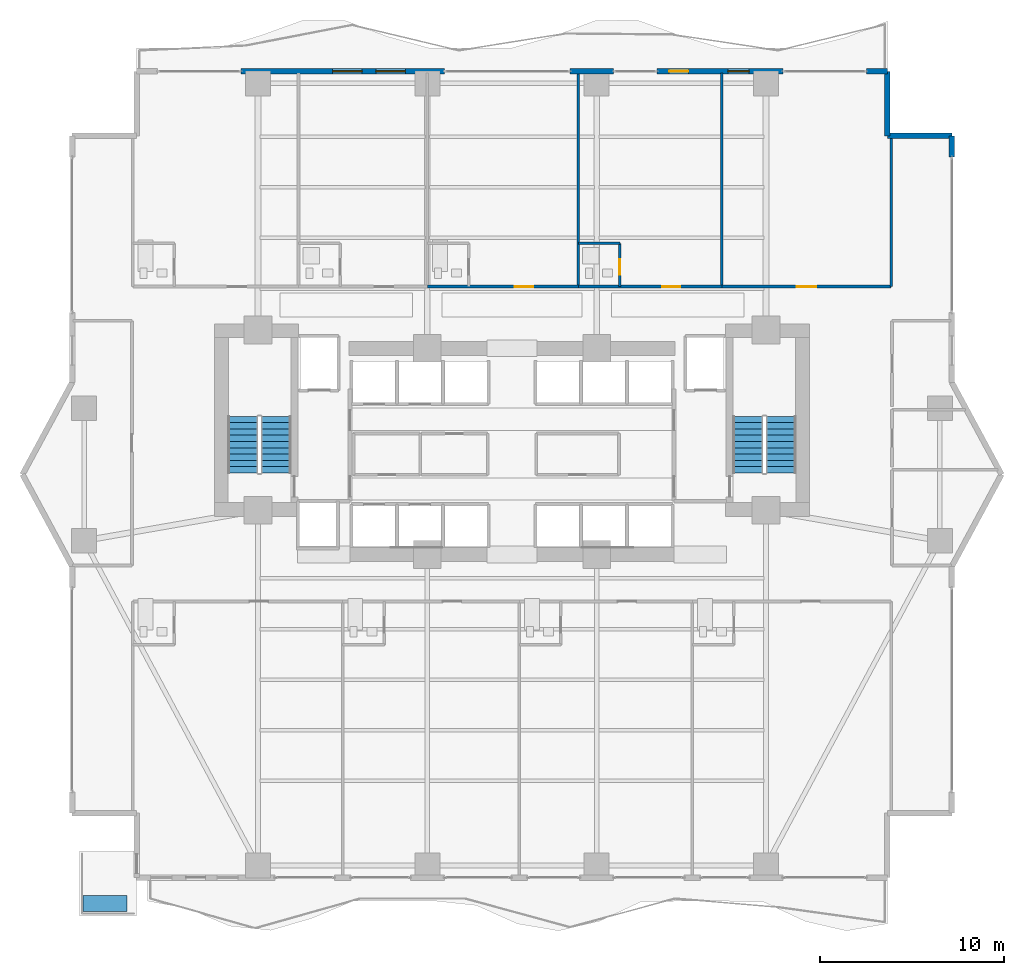
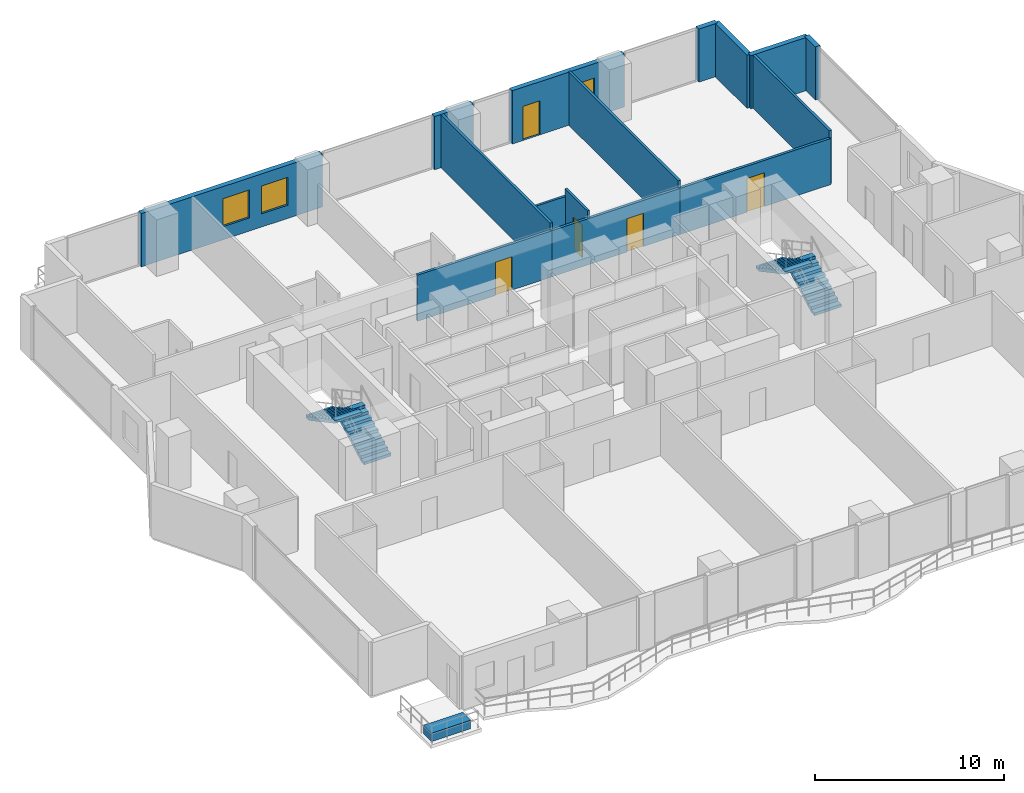
# One storey, part 23 of 27: 15 walls, 5 doors, 4 stair flights, 3 windows, 1 building element part, 8 openings, 2 elements without a shape of their own.
"""IFC4 building model written with IfcOpenShell, lengths in metres."""

from ifc_helpers import new_model, si_unit, direction, frame, frame_2d, origin, origin_2d, place, context, subcontext, project, spatial, polyline, rectangle, outline, extrude, material, layer, layer_set, type_object, element, fill, aggregate, save


model = new_model("IFC4")

# Units and contexts
model_context = context("Model", 3, precision=1e-05, world=origin(), true_north=direction((0.0, 1.0)))
body_context = subcontext(model_context, "Body", "Model", "MODEL_VIEW")
ifc_project = project(units=[si_unit("LENGTHUNIT", "METRE"), si_unit("AREAUNIT", "SQUARE_METRE"), si_unit("VOLUMEUNIT", "CUBIC_METRE"), si_unit("PLANEANGLEUNIT", "RADIAN"), si_unit("MASSUNIT", "GRAM", prefix="KILO")], contexts=[model_context])

# Site, building, storey
site_placement = place(None, origin())
site = spatial("IfcSite", under=ifc_project, at=site_placement, CompositionType="ELEMENT")
building_placement = place(site_placement, origin())
building = spatial("IfcBuilding", under=site, at=building_placement, Name="Zuhayl Quay Hotel", CompositionType="ELEMENT")
storey_placement = place(building_placement, frame((0.0, 0.0, 124.85009765625)))
storey = spatial("IfcBuildingStorey", under=building, at=storey_placement, Name="L31", CompositionType="ELEMENT", Elevation=124.85009765625)

# Wall, openings, windows
ifc_material_1 = material(Name="Precast concrete C45/55", Category="concrete")
ifc_layer_1 = layer(ifc_material_1, 0.300048828125, Name="Precast concrete C45/55", Category="concrete")
ifc_layer_set_1 = layer_set([ifc_layer_1], Name="Precast concrete C45/55")
wall_type_1 = type_object("IfcWallType", Name="WL_EXT_300", PredefinedType="STANDARD", material=ifc_layer_set_1)
wall_1_placement = place(storey_placement, frame((-14.719970703125, 28.39990234375, 0.0), z_axis=(0.0, 0.0, 1.0), x_axis=(1.0, 0.0, 0.0)))
wall_1 = element("IfcWall", 1, at=wall_1_placement, inside=storey, type_object=wall_type_1, Name="L31 Exterior Precast Wall ENV_L31_N_EW2", PredefinedType="STANDARD", context=body_context, shape_type="SweptSolid", body=[
    extrude(rectangle(XDim=11.0400390625, YDim=0.300048828125, at=frame_2d((5.52001953125, 0.0))), origin(), (0.0, 0.0, 1.0), 3.429931640625),
])
opening_1_placement = place(wall_1_placement, frame((4.97998046875, 0.0, 0.85009765625)))
opening_1 = element("IfcOpeningElement", 2, at=opening_1_placement, cuts=wall_1, Name="Opening W01", PredefinedType="OPENING", context=body_context, shape_type="SweptSolid", body=[
    extrude(rectangle(XDim=1.60009765625, YDim=1.800048828125, at=frame_2d((0.800048828125, 0.89990234375))), frame((0.0, 0.159912109375, 0.0), z_axis=(0.0, -1.0, 0.0), x_axis=(1.0, 0.0, 0.0)), (0.0, 0.0, 1.0), 0.320068359375),
])
opening_2_placement = place(wall_1_placement, frame((7.324951171875, 0.0, 0.85009765625)))
opening_2 = element("IfcOpeningElement", 3, at=opening_2_placement, cuts=wall_1, Name="Opening W01", PredefinedType="OPENING", context=body_context, shape_type="SweptSolid", body=[
    extrude(rectangle(XDim=1.60009765625, YDim=1.800048828125, at=frame_2d((0.800048828125, 0.89990234375))), frame((0.0, 0.159912109375, 0.0), z_axis=(0.0, -1.0, 0.0), x_axis=(1.0, 0.0, 0.0)), (0.0, 0.0, 1.0), 0.320068359375),
])
ifc_material_2 = material(Name="Dark Ceramic-Fritted Solar Glass", Category="glass")
window_type_1 = type_object("IfcWindowType", Name="WN_OPERABLE_1600", PartitioningType="DOUBLE_PANEL_VERTICAL", PredefinedType="WINDOW", material=ifc_material_2)
window_1_placement = place(opening_1_placement, origin())
window_1 = element("IfcWindow", 4, at=window_1_placement, inside=storey, type_object=window_type_1, Name="L31 North Operable Casement Window", OverallHeight=1.800048828125, OverallWidth=1.60009765625, PartitioningType="SINGLE_PANEL", PredefinedType="WINDOW", context=body_context, shape_type="SweptSolid", body=[
    extrude(rectangle(XDim=1.60009765625, YDim=1.800048828125, at=frame_2d((0.800048828125, 0.89990234375))), frame((0.0, 0.030029296875, 0.0), z_axis=(0.0, -1.0, 0.0), x_axis=(1.0, 0.0, 0.0)), (0.0, 0.0, 1.0), 0.06005859375),
])
fill(opening_1, window_1)
window_2_placement = place(opening_2_placement, origin())
window_2 = element("IfcWindow", 5, at=window_2_placement, inside=storey, type_object=window_type_1, Name="L31 Operable Facade Window 2-1", OverallHeight=1.800048828125, OverallWidth=1.60009765625, PartitioningType="SINGLE_PANEL", PredefinedType="WINDOW", context=body_context, shape_type="SweptSolid", body=[
    extrude(rectangle(XDim=1.60009765625, YDim=1.800048828125, at=frame_2d((0.800048828125, 0.89990234375))), frame((0.0, 0.030029296875, 0.0), z_axis=(0.0, -1.0, 0.0), x_axis=(1.0, 0.0, 0.0)), (0.0, 0.0, 1.0), 0.06005859375),
])
fill(opening_2, window_2)

# Wall
wall_2_placement = place(storey_placement, frame((3.14990234375, 28.39990234375, 0.0), z_axis=(0.0, 0.0, 1.0), x_axis=(1.0, 0.0, 0.0)))
element("IfcWall", 6, at=wall_2_placement, inside=storey, type_object=wall_type_1, Name="L31 Exterior Precast Wall ENV_L31_N_EW3", PredefinedType="STANDARD", context=body_context, shape_type="SweptSolid", body=[
    extrude(rectangle(XDim=2.3701171875, YDim=0.300048828125, at=frame_2d((1.18505859375, 0.0))), origin(), (0.0, 0.0, 1.0), 3.429931640625),
])

# Wall, openings, door, window
wall_3_placement = place(storey_placement, frame((7.885009765625, 28.39990234375, 0.0), z_axis=(0.0, 0.0, 1.0), x_axis=(1.0, 0.0, 0.0)))
wall_3 = element("IfcWall", 7, at=wall_3_placement, inside=storey, type_object=wall_type_1, Name="L31 Exterior Precast Wall ENV_L31_N_EW4", PredefinedType="STANDARD", context=body_context, shape_type="SweptSolid", body=[
    extrude(rectangle(XDim=6.8349609375, YDim=0.300048828125, at=frame_2d((3.41748046875, 0.0))), origin(), (0.0, 0.0, 1.0), 3.429931640625),
])
opening_3_placement = place(wall_3_placement, frame((0.64990234375, 0.0, 0.0)))
opening_3 = element("IfcOpeningElement", 8, at=opening_3_placement, cuts=wall_3, Name="Opening DG1", PredefinedType="OPENING", context=body_context, shape_type="SweptSolid", body=[
    extrude(rectangle(XDim=1.050048828125, YDim=2.199951171875, at=frame_2d((0.52490234375, 1.10009765625))), frame((0.0, 0.159912109375, 0.0), z_axis=(0.0, -1.0, 0.0), x_axis=(1.0, 0.0, 0.0)), (0.0, 0.0, 1.0), 0.320068359375),
])
opening_4_placement = place(wall_3_placement, frame((3.85009765625, 0.0, 0.949951171875)))
opening_4 = element("IfcOpeningElement", 9, at=opening_4_placement, cuts=wall_3, Name="Opening W01N", PredefinedType="OPENING", context=body_context, shape_type="SweptSolid", body=[
    extrude(rectangle(XDim=1.14990234375, YDim=1.550048828125, at=frame_2d((0.574951171875, 0.77490234375))), frame((0.0, 0.159912109375, 0.0), z_axis=(0.0, -1.0, 0.0), x_axis=(1.0, 0.0, 0.0)), (0.0, 0.0, 1.0), 0.320068359375),
])
ifc_material_3 = material(Name="Anodised Aluminium and Dark Solar Glass", Category="aluminium")
door_type_1 = type_object("IfcDoorType", Name="DR_EXT_TERR_1050", OperationType="NOTDEFINED", PredefinedType="DOOR", material=ifc_material_3)
door_1_placement = place(opening_3_placement, origin())
door_1 = element("IfcDoor", 10, at=door_1_placement, inside=storey, type_object=door_type_1, Name="L31 North Rippling Balcony Door", OperationType="SINGLE_SWING_LEFT", OverallHeight=2.199951171875, OverallWidth=1.050048828125, PredefinedType="DOOR", context=body_context, shape_type="SweptSolid", body=[
    extrude(rectangle(XDim=1.050048828125, YDim=2.199951171875, at=frame_2d((0.52490234375, 1.10009765625))), frame((0.0, 0.02490234375, 0.0), z_axis=(0.0, -1.0, 0.0), x_axis=(1.0, 0.0, 0.0)), (0.0, 0.0, 1.0), 0.050048828125),
])
fill(opening_3, door_1)
window_type_2 = type_object("IfcWindowType", Name="WN_NOTCH_1350", PartitioningType="SINGLE_PANEL", PredefinedType="WINDOW", material=ifc_material_2)
window_3_placement = place(opening_4_placement, origin())
window_3 = element("IfcWindow", 11, at=window_3_placement, inside=storey, type_object=window_type_2, Name="L31 Operable Facade Window 4-1", OverallHeight=1.550048828125, OverallWidth=1.14990234375, PartitioningType="SINGLE_PANEL", PredefinedType="WINDOW", context=body_context, shape_type="SweptSolid", body=[
    extrude(rectangle(XDim=1.14990234375, YDim=1.550048828125, at=frame_2d((0.574951171875, 0.77490234375))), frame((0.0, 0.030029296875, 0.0), z_axis=(0.0, -1.0, 0.0), x_axis=(1.0, 0.0, 0.0)), (0.0, 0.0, 1.0), 0.06005859375),
])
fill(opening_4, window_3)

# Walls
wall_4_placement = place(storey_placement, frame((19.25, 28.39990234375, 0.0), z_axis=(0.0, 0.0, 1.0), x_axis=(1.0, 0.0, 0.0)))
element("IfcWall", 12, at=wall_4_placement, inside=storey, type_object=wall_type_1, Name="L31 Exterior Precast Wall ENV_L31_N_EW5", PredefinedType="STANDARD", context=body_context, shape_type="SweptSolid", body=[
    extrude(rectangle(XDim=1.14990234375, YDim=0.300048828125, at=frame_2d((0.574951171875, 0.0))), origin(), (0.0, 0.0, 1.0), 3.429931640625),
])
for number, where, z_axis, x_axis, name in (
    (13, (20.39990234375, 28.39990234375, 0.0), (0.0, 0.0, 1.0), (0.0, -1.0, 0.0), "L31 Exterior Precast Wall ENV_L31_EW09"),
    (14, (20.39990234375, 24.89990234375, 0.0), (0.0, 0.0, 1.0), (1.0, 0.0, 0.0), "L31 Exterior Precast Wall ENV_L31_EW10"),
):
    element("IfcWall", number, at=place(storey_placement, frame(where, z_axis=z_axis, x_axis=x_axis)), inside=storey, type_object=wall_type_1, Name=name, PredefinedType="STANDARD", context=body_context, shape_type="SweptSolid", body=[
        extrude(rectangle(XDim=3.5, YDim=0.300048828125, at=frame_2d((1.75, 0.0))), origin(), (0.0, 0.0, 1.0), 3.429931640625),
    ])
wall_5_placement = place(storey_placement, frame((23.89990234375, 24.89990234375, 0.0), z_axis=(0.0, 0.0, 1.0), x_axis=(0.0, -1.0, 0.0)))
element("IfcWall", 15, at=wall_5_placement, inside=storey, type_object=wall_type_1, Name="L31 Exterior Precast Wall ENV_L31_E11_EW1", PredefinedType="STANDARD", context=body_context, shape_type="SweptSolid", body=[
    extrude(rectangle(XDim=1.14990234375, YDim=0.300048828125, at=frame_2d((0.574951171875, 0.0))), origin(), (0.0, 0.0, 1.0), 3.429931640625),
])
ifc_material_4 = material(Name="Acoustic Gypsum Partition STC-58")
ifc_layer_2 = layer(ifc_material_4, 0.14990234375, Name="Acoustic Gypsum Partition STC-58")
ifc_layer_set_2 = layer_set([ifc_layer_2], Name="Acoustic Gypsum Partition STC-58")
wall_type_2 = type_object("IfcWallType", Name="WL_PART_150", PredefinedType="PARTITIONING", material=ifc_layer_set_2)
for number, where, z_axis, x_axis, name in (
    (16, (3.60009765625, 16.699951171875, 0.0), (0.0, 0.0, 1.0), (0.0, 1.0, 0.0), "L31 Partition IW_L31_NU03_E"),
    (17, (11.39990234375, 16.699951171875, 0.0), (0.0, 0.0, 1.0), (0.0, 1.0, 0.0), "L31 Partition IW_L31_NU04_E"),
):
    element("IfcWall", number, at=place(storey_placement, frame(where, z_axis=z_axis, x_axis=x_axis)), inside=storey, type_object=wall_type_2, Name=name, PredefinedType="PARTITIONING", context=body_context, shape_type="SweptSolid", body=[
        extrude(rectangle(XDim=11.6201171875, YDim=0.14990234375, at=frame_2d((5.81005859375, 0.0))), origin(), (0.0, 0.0, 1.0), 3.429931640625),
    ])
wall_6_placement = place(storey_placement, frame((20.60009765625, 16.699951171875, 0.0), z_axis=(0.0, 0.0, 1.0), x_axis=(0.0, 1.0, 0.0)))
element("IfcWall", 18, at=wall_6_placement, inside=storey, type_object=wall_type_2, Name="L31 Partition IW_L31_NSAL_4_E", PredefinedType="PARTITIONING", context=body_context, shape_type="SweptSolid", body=[
    extrude(rectangle(XDim=8.14013671875, YDim=0.14990234375, at=frame_2d((4.070068359375, 0.0))), origin(), (0.0, 0.0, 1.0), 3.429931640625),
])

# Wall, opening, door
ifc_layer_3 = layer(ifc_material_4, 0.159912109375, Name="Acoustic Gypsum Partition STC-58")
ifc_layer_set_3 = layer_set([ifc_layer_3], Name="Acoustic Gypsum Partition STC-58")
wall_type_3 = type_object("IfcWallType", Name="WL_PART_CORR_160", PredefinedType="PARTITIONING", material=ifc_layer_set_3)
wall_7_placement = place(storey_placement, frame((-4.60009765625, 16.699951171875, 0.0), z_axis=(0.0, 0.0, 1.0), x_axis=(1.0, 0.0, 0.0)))
wall_7 = element("IfcWall", 19, at=wall_7_placement, inside=storey, type_object=wall_type_3, Name="L31 Partition IW_L31_NU03_COR", PredefinedType="PARTITIONING", context=body_context, shape_type="SweptSolid", body=[
    extrude(rectangle(XDim=8.2001953125, YDim=0.159912109375, at=frame_2d((4.10009765625, 0.0))), origin(), (0.0, 0.0, 1.0), 2.972900390625),
])
opening_5_placement = place(wall_7_placement, frame((4.75, 0.0, 0.0)))
opening_5 = element("IfcOpeningElement", 20, at=opening_5_placement, cuts=wall_7, Name="Opening D03L", PredefinedType="OPENING", context=body_context, shape_type="SweptSolid", body=[
    extrude(rectangle(XDim=1.0, YDim=2.14990234375, at=frame_2d((0.5, 1.074951171875))), frame((0.0, 0.08984375, 0.0), z_axis=(0.0, -1.0, 0.0), x_axis=(1.0, 0.0, 0.0)), (0.0, 0.0, 1.0), 0.179931640625),
])
ifc_material_5 = material(Name="Solid Walnut Acoustic Fire Door")
door_type_2 = type_object("IfcDoorType", Name="DR_SUITE_1000", OperationType="NOTDEFINED", PredefinedType="DOOR", material=ifc_material_5)
door_2_placement = place(opening_5_placement, origin())
door_2 = element("IfcDoor", 21, at=door_2_placement, inside=storey, type_object=door_type_2, Name="L31 Executive Suite L31-03 Entrance Door", OperationType="SINGLE_SWING_LEFT", OverallHeight=2.14990234375, OverallWidth=1.0, PredefinedType="DOOR", context=body_context, shape_type="SweptSolid", body=[
    extrude(rectangle(XDim=1.0, YDim=2.14990234375, at=frame_2d((0.5, 1.074951171875))), frame((0.0, 0.02490234375, 0.0), z_axis=(0.0, -1.0, 0.0), x_axis=(1.0, 0.0, 0.0)), (0.0, 0.0, 1.0), 0.050048828125),
])
fill(opening_5, door_2)

wall_8_placement = place(storey_placement, frame((3.60009765625, 16.699951171875, 0.0), z_axis=(0.0, 0.0, 1.0), x_axis=(1.0, 0.0, 0.0)))
wall_8 = element("IfcWall", 22, at=wall_8_placement, inside=storey, type_object=wall_type_3, Name="L31 Partition IW_L31_NU04_COR", PredefinedType="PARTITIONING", context=body_context, shape_type="SweptSolid", body=[
    extrude(rectangle(XDim=7.7998046875, YDim=0.159912109375, at=frame_2d((3.89990234375, 0.0))), origin(), (0.0, 0.0, 1.0), 2.972900390625),
])
opening_6_placement = place(wall_8_placement, frame((4.550048828125, 0.0, 0.0)))
opening_6 = element("IfcOpeningElement", 23, at=opening_6_placement, cuts=wall_8, Name="Opening D03L", PredefinedType="OPENING", context=body_context, shape_type="SweptSolid", body=[
    extrude(rectangle(XDim=1.0, YDim=2.14990234375, at=frame_2d((0.5, 1.074951171875))), frame((0.0, 0.08984375, 0.0), z_axis=(0.0, -1.0, 0.0), x_axis=(1.0, 0.0, 0.0)), (0.0, 0.0, 1.0), 0.179931640625),
])
door_3_placement = place(opening_6_placement, origin())
door_3 = element("IfcDoor", 24, at=door_3_placement, inside=storey, type_object=door_type_2, Name="L31 Executive Suite L31-04 Entrance Door", OperationType="SINGLE_SWING_LEFT", OverallHeight=2.14990234375, OverallWidth=1.0, PredefinedType="DOOR", context=body_context, shape_type="SweptSolid", body=[
    extrude(rectangle(XDim=1.0, YDim=2.14990234375, at=frame_2d((0.5, 1.074951171875))), frame((0.0, 0.02490234375, 0.0), z_axis=(0.0, -1.0, 0.0), x_axis=(1.0, 0.0, 0.0)), (0.0, 0.0, 1.0), 0.050048828125),
])
fill(opening_6, door_3)

wall_9_placement = place(storey_placement, frame((11.39990234375, 16.699951171875, 0.0), z_axis=(0.0, 0.0, 1.0), x_axis=(1.0, 0.0, 0.0)))
wall_9 = element("IfcWall", 25, at=wall_9_placement, inside=storey, type_object=wall_type_3, Name="L31 Partition IW_L31_NSAL_4_S", PredefinedType="PARTITIONING", context=body_context, shape_type="SweptSolid", body=[
    extrude(rectangle(XDim=9.2001953125, YDim=0.159912109375, at=frame_2d((4.60009765625, 0.0))), origin(), (0.0, 0.0, 1.0), 2.972900390625),
])
opening_7_placement = place(wall_9_placement, frame((4.06005859375, 0.0, 0.0)))
opening_7 = element("IfcOpeningElement", 26, at=opening_7_placement, cuts=wall_9, Name="Opening D05A", PredefinedType="OPENING", context=body_context, shape_type="SweptSolid", body=[
    extrude(rectangle(XDim=1.080078125, YDim=2.179931640625, at=frame_2d((0.5400390625, 1.08984375))), frame((0.0, 0.08984375, 0.0), z_axis=(0.0, -1.0, 0.0), x_axis=(1.0, 0.0, 0.0)), (0.0, 0.0, 1.0), 0.179931640625),
])
door_type_3 = type_object("IfcDoorType", Name="DR_INT_1100", OperationType="NOTDEFINED", PredefinedType="DOOR", material=ifc_material_5)
door_4_placement = place(opening_7_placement, origin())
door_4 = element("IfcDoor", 27, at=door_4_placement, inside=storey, type_object=door_type_3, Name="L31 Executive Business Office Door", OperationType="SINGLE_SWING_RIGHT", OverallHeight=2.179931640625, OverallWidth=1.080078125, PredefinedType="DOOR", context=body_context, shape_type="SweptSolid", body=[
    extrude(rectangle(XDim=1.080078125, YDim=2.179931640625, at=frame_2d((0.5400390625, 1.08984375))), frame((0.0, 0.02490234375, 0.0), z_axis=(0.0, -1.0, 0.0), x_axis=(1.0, 0.0, 0.0)), (0.0, 0.0, 1.0), 0.050048828125),
])
fill(opening_7, door_4)

ifc_material_6 = material(Name="Moisture-Resistant Sanitarychase Gypsum")
ifc_layer_4 = layer(ifc_material_6, 0.135009765625, Name="Moisture-Resistant Sanitarychase Gypsum")
ifc_layer_set_4 = layer_set([ifc_layer_4], Name="Moisture-Resistant Sanitarychase Gypsum")
wall_type_4 = type_object("IfcWallType", Name="WL_PART_PLUMB_150", PredefinedType="PLUMBINGWALL", material=ifc_layer_set_4)
wall_10_placement = place(storey_placement, frame((5.860107421875, 16.699951171875, 0.0), z_axis=(0.0, 0.0, 1.0), x_axis=(0.0, 1.0, 0.0)))
wall_10 = element("IfcWall", 28, at=wall_10_placement, inside=storey, type_object=wall_type_4, Name="L31 Partition IW_L31_NU04_BE", PredefinedType="PLUMBINGWALL", context=body_context, shape_type="SweptSolid", body=[
    extrude(rectangle(XDim=2.360107421875, YDim=0.135009765625, at=frame_2d((1.18017578125, 0.0))), origin(), (0.0, 0.0, 1.0), 3.429931640625),
])
opening_8_placement = place(wall_10_placement, frame((0.64990234375, 0.0, 0.0)))
opening_8 = element("IfcOpeningElement", 29, at=opening_8_placement, cuts=wall_10, Name="Opening D04", PredefinedType="OPENING", context=body_context, shape_type="SweptSolid", body=[
    extrude(rectangle(XDim=0.85009765625, YDim=2.10009765625, at=frame_2d((0.425048828125, 1.050048828125))), frame((0.0, 0.077392578125, 0.0), z_axis=(0.0, -1.0, 0.0), x_axis=(1.0, 0.0, 0.0)), (0.0, 0.0, 1.0), 0.155029296875),
])
ifc_material_7 = material(Name="Moisture-Resistant Walnut Veneer")
door_type_4 = type_object("IfcDoorType", Name="DR_BATH_850", OperationType="NOTDEFINED", PredefinedType="DOOR", material=ifc_material_7)
door_5_placement = place(opening_8_placement, origin())
door_5 = element("IfcDoor", 30, at=door_5_placement, inside=storey, type_object=door_type_4, Name="L31 Executive Suite L31-04 En-Suite Door", OperationType="SINGLE_SWING_RIGHT", OverallHeight=2.10009765625, OverallWidth=0.85009765625, PredefinedType="DOOR", context=body_context, shape_type="SweptSolid", body=[
    extrude(rectangle(XDim=0.85009765625, YDim=2.10009765625, at=frame_2d((0.425048828125, 1.050048828125))), frame((0.0, 0.02490234375, 0.0), z_axis=(0.0, -1.0, 0.0), x_axis=(1.0, 0.0, 0.0)), (0.0, 0.0, 1.0), 0.050048828125),
])
fill(opening_8, door_5)

# Wall
wall_11_placement = place(storey_placement, frame((3.60009765625, 19.06005859375, 0.0), z_axis=(0.0, 0.0, 1.0), x_axis=(1.0, 0.0, 0.0)))
element("IfcWall", 31, at=wall_11_placement, inside=storey, type_object=wall_type_4, Name="L31 Partition IW_L31_NU04_BN", PredefinedType="PLUMBINGWALL", context=body_context, shape_type="SweptSolid", body=[
    extrude(rectangle(XDim=2.260009765625, YDim=0.135009765625, at=frame_2d((1.1298828125, 0.0))), origin(), (0.0, 0.0, 1.0), 2.972900390625),
])

# Stair, stair flights
ifc_material_8 = material(Name="Concrete C45/55", Category="concrete")
stair_type = type_object("IfcStairType", Name="ST_DOGLEG_TOWER", PredefinedType="HALF_TURN_STAIR", material=ifc_material_8)
stair_1_placement = place(storey_placement, origin())
stair_1 = element("IfcStair", 32, at=stair_1_placement, inside=storey, type_object=stair_type, Name="L31 Smokeproof Exit Stair ST1", PredefinedType="HALF_TURN_STAIR")
ifc_layer_5 = layer(ifc_material_8, 0.159912109375, Name="Concrete C45/55", Category="concrete")
ifc_layer_set_5 = layer_set([ifc_layer_5], Name="Concrete C45/55")
stair_flight_type = type_object("IfcStairFlightType", Name="SF_CONC_164", PredefinedType="STRAIGHT", material=ifc_layer_set_5)
stair_flight_1_placement = place(storey_placement, frame((-12.820068359375, 6.590087890625, 0.0), z_axis=(0.0, 0.0, 1.0), x_axis=(0.0, 1.0, 0.0)))
stair_flight_1 = element("IfcStairFlight", 33, at=stair_flight_1_placement, type_object=stair_flight_type, Name="ST1 flight 1", NumberOfRisers=10, NumberOfTreads=9, PredefinedType="STRAIGHT", RiserHeight=0.1825, TreadLength=0.34, context=body_context, shape_type="SweptSolid", body=[
    extrude(outline(polyline([(0.0, 0.0), (0.0, 0.1826171875), (0.340087890625, 0.1826171875), (0.340087890625, 0.364990234375), (0.679931640625, 0.364990234375), (0.679931640625, 0.547607421875), (1.02001953125, 0.547607421875), (1.02001953125, 0.72998046875), (1.360107421875, 0.72998046875), (1.360107421875, 0.91259765625), (1.699951171875, 0.91259765625), (1.699951171875, 1.094970703125), (2.0400390625, 1.094970703125), (2.0400390625, 1.277587890625), (2.3798828125, 1.277587890625), (2.3798828125, 1.4599609375), (2.719970703125, 1.4599609375), (2.719970703125, 1.642578125), (3.06005859375, 1.642578125), (3.06005859375, 1.824951171875), (3.06005859375, 1.472412109375), (0.31689453125, 0.0), (0.0, 0.0)])), frame((0.0, 0.81982421875, 0.0), z_axis=(0.0, -1.0, 0.0), x_axis=(1.0, 0.0, 0.0)), (0.0, 0.0, 1.0), 1.639892578125),
])
stair_flight_2_placement = place(storey_placement, frame((-14.610107421875, 9.64990234375, 1.824951171875), z_axis=(0.0, 0.0, 1.0), x_axis=(0.0, -1.0, 0.0)))
stair_flight_2 = element("IfcStairFlight", 34, at=stair_flight_2_placement, type_object=stair_flight_type, Name="ST1 flight 2", NumberOfRisers=10, NumberOfTreads=9, PredefinedType="STRAIGHT", RiserHeight=0.1825, TreadLength=0.34, context=body_context, shape_type="SweptSolid", body=[
    extrude(outline(polyline([(0.0, 0.0), (0.0, 0.1826171875), (0.340087890625, 0.1826171875), (0.340087890625, 0.364990234375), (0.679931640625, 0.364990234375), (0.679931640625, 0.547607421875), (1.02001953125, 0.547607421875), (1.02001953125, 0.72998046875), (1.360107421875, 0.72998046875), (1.360107421875, 0.91259765625), (1.699951171875, 0.91259765625), (1.699951171875, 1.094970703125), (2.0400390625, 1.094970703125), (2.0400390625, 1.277587890625), (2.3798828125, 1.277587890625), (2.3798828125, 1.4599609375), (2.719970703125, 1.4599609375), (2.719970703125, 1.642578125), (3.06005859375, 1.642578125), (3.06005859375, 1.824951171875), (3.06005859375, 1.472412109375), (0.31689453125, 0.0), (0.0, 0.0)])), frame((0.0, 0.81982421875, 0.0), z_axis=(0.0, -1.0, 0.0), x_axis=(1.0, 0.0, 0.0)), (0.0, 0.0, 1.0), 1.639892578125),
])
aggregate(stair_1, [stair_flight_1, stair_flight_2])

stair_2_placement = place(storey_placement, origin())
stair_2 = element("IfcStair", 35, at=stair_2_placement, inside=storey, type_object=stair_type, Name="L31 Smokeproof Exit Stair ST2", PredefinedType="HALF_TURN_STAIR")
stair_flight_3_placement = place(storey_placement, frame((14.610107421875, 6.590087890625, 0.0), z_axis=(0.0, 0.0, 1.0), x_axis=(0.0, 1.0, 0.0)))
stair_flight_3 = element("IfcStairFlight", 36, at=stair_flight_3_placement, type_object=stair_flight_type, Name="ST2 flight 1", NumberOfRisers=10, NumberOfTreads=9, PredefinedType="STRAIGHT", RiserHeight=0.1825, TreadLength=0.34, context=body_context, shape_type="SweptSolid", body=[
    extrude(outline(polyline([(0.0, 0.0), (0.0, 0.1826171875), (0.340087890625, 0.1826171875), (0.340087890625, 0.364990234375), (0.679931640625, 0.364990234375), (0.679931640625, 0.547607421875), (1.02001953125, 0.547607421875), (1.02001953125, 0.72998046875), (1.360107421875, 0.72998046875), (1.360107421875, 0.91259765625), (1.699951171875, 0.91259765625), (1.699951171875, 1.094970703125), (2.0400390625, 1.094970703125), (2.0400390625, 1.277587890625), (2.3798828125, 1.277587890625), (2.3798828125, 1.4599609375), (2.719970703125, 1.4599609375), (2.719970703125, 1.642578125), (3.06005859375, 1.642578125), (3.06005859375, 1.824951171875), (3.06005859375, 1.472412109375), (0.31689453125, 0.0), (0.0, 0.0)])), frame((0.0, 0.81982421875, 0.0), z_axis=(0.0, -1.0, 0.0), x_axis=(1.0, 0.0, 0.0)), (0.0, 0.0, 1.0), 1.639892578125),
])
stair_flight_4_placement = place(storey_placement, frame((12.820068359375, 9.64990234375, 1.824951171875), z_axis=(0.0, 0.0, 1.0), x_axis=(0.0, -1.0, 0.0)))
stair_flight_4 = element("IfcStairFlight", 37, at=stair_flight_4_placement, type_object=stair_flight_type, Name="ST2 flight 2", NumberOfRisers=10, NumberOfTreads=9, PredefinedType="STRAIGHT", RiserHeight=0.1825, TreadLength=0.34, context=body_context, shape_type="SweptSolid", body=[
    extrude(outline(polyline([(0.0, 0.0), (0.0, 0.1826171875), (0.340087890625, 0.1826171875), (0.340087890625, 0.364990234375), (0.679931640625, 0.364990234375), (0.679931640625, 0.547607421875), (1.02001953125, 0.547607421875), (1.02001953125, 0.72998046875), (1.360107421875, 0.72998046875), (1.360107421875, 0.91259765625), (1.699951171875, 0.91259765625), (1.699951171875, 1.094970703125), (2.0400390625, 1.094970703125), (2.0400390625, 1.277587890625), (2.3798828125, 1.277587890625), (2.3798828125, 1.4599609375), (2.719970703125, 1.4599609375), (2.719970703125, 1.642578125), (3.06005859375, 1.642578125), (3.06005859375, 1.824951171875), (3.06005859375, 1.472412109375), (0.31689453125, 0.0), (0.0, 0.0)])), frame((0.0, 0.81982421875, 0.0), z_axis=(0.0, -1.0, 0.0), x_axis=(1.0, 0.0, 0.0)), (0.0, 0.0, 1.0), 1.639892578125),
])
aggregate(stair_2, [stair_flight_3, stair_flight_4])

# Building element part
ifc_layer_6 = layer(ifc_material_1, 0.550048828125, Name="Precast concrete C45/55", Category="concrete")
ifc_layer_set_6 = layer_set([ifc_layer_6], Name="Precast concrete C45/55")
building_element_part_type = type_object("IfcBuildingElementPartType", Name="PT_PLANTER_KERB", PredefinedType="PRECASTPANEL", material=ifc_layer_set_6)
building_element_part_placement = place(storey_placement, frame((-22.110107421875, -16.81005859375, 0.0), z_axis=(0.0, 0.0, 1.0), x_axis=(1.0, 0.0, 0.0)))
element("IfcBuildingElementPart", 38, at=building_element_part_placement, inside=storey, type_object=building_element_part_type, Name="L31 Spiral Sky-Terrace Planter Box SW", PredefinedType="PRECASTPANEL", context=body_context, shape_type="SweptSolid", body=[
    extrude(rectangle(XDim=2.39990234375, YDim=0.85009765625, at=origin_2d()), origin(), (0.0, 0.0, 1.0), 0.550048828125),
])

save(model, "model.ifc")
